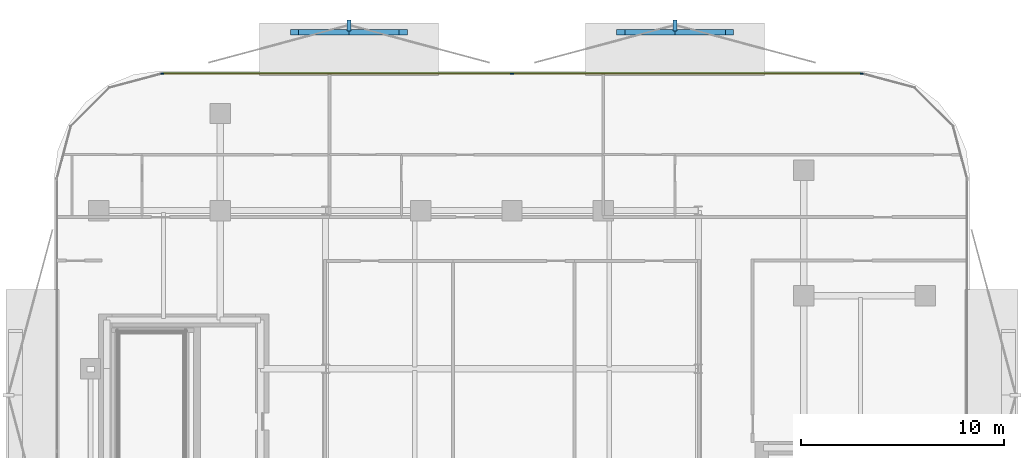
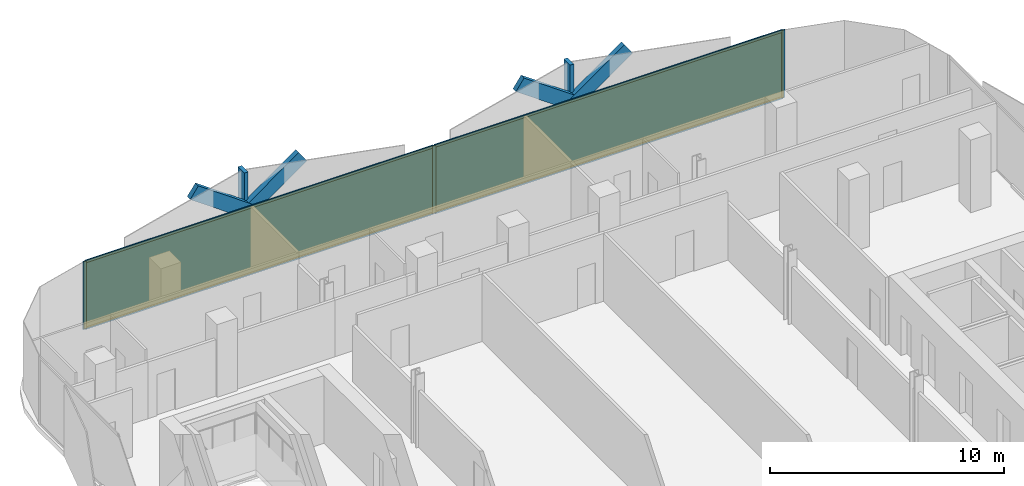
# One storey, part 11 of 16: 13 members, 2 plates, 1 curtain wall.
"""IFC4 building model written with IfcOpenShell, lengths in metres."""

from ifc_helpers import new_model, si_unit, direction, frame, frame_2d, origin, origin_2d, place, context, subcontext, project, spatial, rectangle, extrude, material, layer, layer_set, material_profile, profile_set, type_object, element, aggregate, save


model = new_model("IFC4")

# Units and contexts
model_context = context("Model", 3, precision=1e-05, world=origin(), true_north=direction((0.0, 1.0)))
body_context = subcontext(model_context, "Body", "Model", "MODEL_VIEW")
ifc_project = project(units=[si_unit("LENGTHUNIT", "METRE"), si_unit("AREAUNIT", "SQUARE_METRE"), si_unit("VOLUMEUNIT", "CUBIC_METRE"), si_unit("PLANEANGLEUNIT", "RADIAN"), si_unit("MASSUNIT", "GRAM", prefix="KILO")], contexts=[model_context])

# Member
ifc_material_1 = material(Name="Anodised Bronze Aluminium 6063-T6", Category="aluminium")
ifc_material_profile_1 = material_profile(ifc_material_1, rectangle(XDim=0.260009765625, YDim=0.699951171875, at=origin_2d()))
ifc_profile_set_1 = profile_set([ifc_material_profile_1], Name="Anodised Bronze Aluminium 6063-T6")
member_type_1 = type_object("IfcMemberType", Name="Bronze Diamond Solar-Screen Lattice Rib BDL-700", PredefinedType="MULLION", material=ifc_profile_set_1)
site_placement = place(None, origin())
building_placement = place(site_placement, origin())
storey_placement = place(building_placement, frame((0.0, 0.0, 187.800048828125)))
member_1_placement = place(storey_placement, frame((-10.727294921875, 27.39990234375, -0.130126953125), z_axis=(0.815973383103, 0.0, 0.578089472372), x_axis=(0.0, 1.0, 0.0)))
member_1 = element("IfcMember", 1, at=member_1_placement, type_object=member_type_1, Name="L43 Bronze Diamond Solar Screen Lattice Rib 285A", PredefinedType="MULLION", context=body_context, shape_type="SweptSolid", body=[
    extrude(rectangle(XDim=0.260009765625, YDim=0.699951171875, at=origin_2d()), origin(), (0.0, 0.0, 1.0), 6.573486328125),
])

member_2_placement = place(storey_placement, frame((-5.363525390625, 27.39990234375, -0.130126953125), z_axis=(-0.815973383103, 0.0, 0.578089472372), x_axis=(0.0, -1.0, 0.0)))
member_2 = element("IfcMember", 2, at=member_2_placement, type_object=member_type_1, Name="L43 Bronze Diamond Solar Screen Lattice Rib 285B", PredefinedType="MULLION", context=body_context, shape_type="SweptSolid", body=[
    extrude(rectangle(XDim=0.260009765625, YDim=0.699951171875, at=origin_2d()), origin(), (0.0, 0.0, 1.0), 6.573486328125),
])

member_3_placement = place(storey_placement, frame((5.363525390625, 27.39990234375, -0.130126953125), z_axis=(0.815973383103, 0.0, 0.578089472372), x_axis=(0.0, 1.0, 0.0)))
member_3 = element("IfcMember", 3, at=member_3_placement, type_object=member_type_1, Name="L43 Bronze Diamond Solar Screen Lattice Rib 286A", PredefinedType="MULLION", context=body_context, shape_type="SweptSolid", body=[
    extrude(rectangle(XDim=0.260009765625, YDim=0.699951171875, at=origin_2d()), origin(), (0.0, 0.0, 1.0), 6.573486328125),
])

member_4_placement = place(storey_placement, frame((10.727294921875, 27.39990234375, -0.130126953125), z_axis=(-0.815973383103, 0.0, 0.578089472372), x_axis=(0.0, -1.0, 0.0)))
member_4 = element("IfcMember", 4, at=member_4_placement, type_object=member_type_1, Name="L43 Bronze Diamond Solar Screen Lattice Rib 286B", PredefinedType="MULLION", context=body_context, shape_type="SweptSolid", body=[
    extrude(rectangle(XDim=0.260009765625, YDim=0.699951171875, at=origin_2d()), origin(), (0.0, 0.0, 1.0), 6.573486328125),
])

ifc_material_2 = material(Name="Anodised Bronze Aluminium 6063-T6", Category="aluminium")
ifc_material_profile_2 = material_profile(ifc_material_2, rectangle(XDim=0.179931640625, YDim=0.5400390625, at=origin_2d()))
ifc_profile_set_2 = profile_set([ifc_material_profile_2], Name="Anodised Bronze Aluminium 6063-T6")
member_type_2 = type_object("IfcMemberType", Name="Bronze Solar-Screen Vertical Fold Fin BSF-540", PredefinedType="MULLION", material=ifc_profile_set_2)
member_5_placement = place(storey_placement, frame((-8.04541015625, 27.739990234375, -0.130126953125), z_axis=(0.0, 0.0, 1.0), x_axis=(1.0, 0.0, 0.0)))
member_5 = element("IfcMember", 5, at=member_5_placement, type_object=member_type_2, Name="L43 Bronze Solar Screen Vertical Fin 285", PredefinedType="MULLION", context=body_context, shape_type="SweptSolid", body=[
    extrude(rectangle(XDim=0.179931640625, YDim=0.5400390625, at=origin_2d()), origin(), (0.0, 0.0, 1.0), 3.800048828125),
])

member_6_placement = place(storey_placement, frame((8.04541015625, 27.739990234375, -0.130126953125), z_axis=(0.0, 0.0, 1.0), x_axis=(1.0, 0.0, 0.0)))
member_6 = element("IfcMember", 6, at=member_6_placement, type_object=member_type_2, Name="L43 Bronze Solar Screen Vertical Fin 286", PredefinedType="MULLION", context=body_context, shape_type="SweptSolid", body=[
    extrude(rectangle(XDim=0.179931640625, YDim=0.5400390625, at=origin_2d()), origin(), (0.0, 0.0, 1.0), 3.800048828125),
])

ifc_material_3 = material(Name="Anodised Bronze Aluminium 6063-T6", Category="aluminium")
ifc_material_profile_3 = material_profile(ifc_material_3, rectangle(XDim=0.06005859375, YDim=0.1650390625, at=origin_2d()))
ifc_profile_set_3 = profile_set([ifc_material_profile_3], Name="Anodised Bronze Aluminium 6063-T6")
member_type_3 = type_object("IfcMemberType", Name="CW-Z3 Mullion 60x165", PredefinedType="MULLION", material=ifc_profile_set_3)
member_7_placement = place(storey_placement, frame((-17.2607421875, 25.360107421875, 0.0), z_axis=(0.0, 0.0, 1.0), x_axis=(0.0, 1.0, 0.0)))
member_7 = element("IfcMember", 7, at=member_7_placement, type_object=member_type_3, Name="CW-Z3 mullion 1", PredefinedType="MULLION", context=body_context, shape_type="SweptSolid", body=[
    extrude(rectangle(XDim=0.06005859375, YDim=0.1650390625, at=origin_2d()), origin(), (0.0, 0.0, 1.0), 3.5400390625),
])

member_8_placement = place(storey_placement, frame((0.0, 25.360107421875, 0.0), z_axis=(0.0, 0.0, 1.0), x_axis=(0.0, 1.0, 0.0)))
member_8 = element("IfcMember", 8, at=member_8_placement, type_object=member_type_3, Name="CW-Z3 mullion 2", PredefinedType="MULLION", context=body_context, shape_type="SweptSolid", body=[
    extrude(rectangle(XDim=0.06005859375, YDim=0.1650390625, at=origin_2d()), origin(), (0.0, 0.0, 1.0), 3.5400390625),
])

member_9_placement = place(storey_placement, frame((17.2607421875, 25.360107421875, 0.0), z_axis=(0.0, 0.0, 1.0), x_axis=(0.0, 1.0, 0.0)))
member_9 = element("IfcMember", 9, at=member_9_placement, type_object=member_type_3, Name="CW-Z3 mullion 3", PredefinedType="MULLION", context=body_context, shape_type="SweptSolid", body=[
    extrude(rectangle(XDim=0.06005859375, YDim=0.1650390625, at=origin_2d()), origin(), (0.0, 0.0, 1.0), 3.5400390625),
])

ifc_material_4 = material(Name="Anodised Bronze Aluminium 6063-T6", Category="aluminium")
ifc_material_profile_4 = material_profile(ifc_material_4, rectangle(XDim=0.06005859375, YDim=0.1298828125, at=origin_2d()))
ifc_profile_set_4 = profile_set([ifc_material_profile_4], Name="Anodised Bronze Aluminium 6063-T6")
member_type_4 = type_object("IfcMemberType", Name="CW-Z3 Transom 60x130", PredefinedType="USERDEFINED", material=ifc_profile_set_4)
member_10_placement = place(storey_placement, frame((-17.230712890625, 25.360107421875, 0.030029296875), z_axis=(1.0, 0.0, 0.0), x_axis=(0.0, 1.0, 0.0)))
member_10 = element("IfcMember", 10, at=member_10_placement, type_object=member_type_4, Name="CW-Z3 transom 1.1", ObjectType="TRANSOM", PredefinedType="USERDEFINED", context=body_context, shape_type="SweptSolid", body=[
    extrude(rectangle(XDim=0.06005859375, YDim=0.1298828125, at=origin_2d()), origin(), (0.0, 0.0, 1.0), 17.20068359375),
])

member_11_placement = place(storey_placement, frame((-17.230712890625, 25.360107421875, 3.510009765625), z_axis=(1.0, 0.0, 0.0), x_axis=(0.0, 1.0, 0.0)))
member_11 = element("IfcMember", 11, at=member_11_placement, type_object=member_type_4, Name="CW-Z3 transom 1.2", ObjectType="TRANSOM", PredefinedType="USERDEFINED", context=body_context, shape_type="SweptSolid", body=[
    extrude(rectangle(XDim=0.06005859375, YDim=0.1298828125, at=origin_2d()), origin(), (0.0, 0.0, 1.0), 17.20068359375),
])

member_12_placement = place(storey_placement, frame((0.030029296875, 25.360107421875, 0.030029296875), z_axis=(1.0, 0.0, 0.0), x_axis=(0.0, 1.0, 0.0)))
member_12 = element("IfcMember", 12, at=member_12_placement, type_object=member_type_4, Name="CW-Z3 transom 2.1", ObjectType="TRANSOM", PredefinedType="USERDEFINED", context=body_context, shape_type="SweptSolid", body=[
    extrude(rectangle(XDim=0.06005859375, YDim=0.1298828125, at=origin_2d()), origin(), (0.0, 0.0, 1.0), 17.20068359375),
])

member_13_placement = place(storey_placement, frame((0.030029296875, 25.360107421875, 3.510009765625), z_axis=(1.0, 0.0, 0.0), x_axis=(0.0, 1.0, 0.0)))
member_13 = element("IfcMember", 13, at=member_13_placement, type_object=member_type_4, Name="CW-Z3 transom 2.2", ObjectType="TRANSOM", PredefinedType="USERDEFINED", context=body_context, shape_type="SweptSolid", body=[
    extrude(rectangle(XDim=0.06005859375, YDim=0.1298828125, at=origin_2d()), origin(), (0.0, 0.0, 1.0), 17.20068359375),
])

# Plate
ifc_material_5 = material(Name="Low-E Solar Control Laminated Glass", Category="glass")
ifc_layer_1 = layer(ifc_material_5, 0.030029296875, Name="Low-E Solar Control Laminated Glass")
ifc_layer_set_1 = layer_set([ifc_layer_1], Name="Low-E Solar Control Laminated Glass")
plate_type = type_object("IfcPlateType", Name="CW-Z3 Low-E Double Glazed Panel 30mm", PredefinedType="CURTAIN_PANEL", material=ifc_layer_set_1)
plate_1_placement = place(storey_placement, frame((-8.63037109375, 25.360107421875, 0.06005859375), z_axis=(0.0, 0.0, 1.0), x_axis=(1.0, 0.0, 0.0)))
plate_1 = element("IfcPlate", 14, at=plate_1_placement, type_object=plate_type, Name="CW-Z3 panel 1.1", PredefinedType="CURTAIN_PANEL", context=body_context, shape_type="SweptSolid", body=[
    extrude(rectangle(XDim=17.20068359375, YDim=0.030029296875, at=origin_2d()), origin(), (0.0, 0.0, 1.0), 3.419921875),
])

plate_2_placement = place(storey_placement, frame((8.63037109375, 25.360107421875, 0.06005859375), z_axis=(0.0, 0.0, 1.0), x_axis=(1.0, 0.0, 0.0)))
plate_2 = element("IfcPlate", 15, at=plate_2_placement, type_object=plate_type, Name="CW-Z3 panel 2.1", PredefinedType="CURTAIN_PANEL", context=body_context, shape_type="SweptSolid", body=[
    extrude(rectangle(XDim=17.20068359375, YDim=0.030029296875, at=origin_2d()), origin(), (0.0, 0.0, 1.0), 3.419921875),
])

# Site, building, storey
site = spatial("IfcSite", under=ifc_project, at=site_placement, CompositionType="ELEMENT")
building = spatial("IfcBuilding", under=site, at=building_placement, Name="Khairoan Windgate Tower", CompositionType="ELEMENT")
storey = spatial("IfcBuildingStorey", under=building, at=storey_placement, Name="L43", CompositionType="ELEMENT", Elevation=187.800048828125)

# Curtain wall
ifc_material_6 = material(Name="Anodised Bronze Aluminium 6063-T6", Category="aluminium")
ifc_layer_2 = layer(ifc_material_6, 0.1650390625, Name="Anodised Bronze Aluminium 6063-T6")
ifc_layer_set_2 = layer_set([ifc_layer_2], Name="Anodised Bronze Aluminium 6063-T6")
curtain_wall_type = type_object("IfcCurtainWallType", Name="Luxury Hotel Acoustic Curtain Wall CW-Z3", PredefinedType="NOTDEFINED", material=ifc_layer_set_2)
curtain_wall_placement = place(storey_placement, frame((-17.290771484375, 25.360107421875, 0.0), z_axis=(0.0, 0.0, 1.0), x_axis=(1.0, 0.0, 0.0)))
curtain_wall = element("IfcCurtainWall", 16, at=curtain_wall_placement, inside=storey, type_object=curtain_wall_type, Name="L43 Unitised Curtain Wall 9", PredefinedType="NOTDEFINED", context=body_context, shape_type="SweptSolid", body=[
    extrude(rectangle(XDim=34.58154296875, YDim=0.010009765625, at=frame_2d((17.290771484375, 0.0))), origin(), (0.0, 0.0, 1.0), 3.5400390625),
])

aggregate(curtain_wall, [member_7, member_8, member_9, member_10, member_11, plate_1, member_12, member_13, plate_2, member_1, member_2, member_5, member_3, member_4, member_6])

save(model, "model.ifc")
